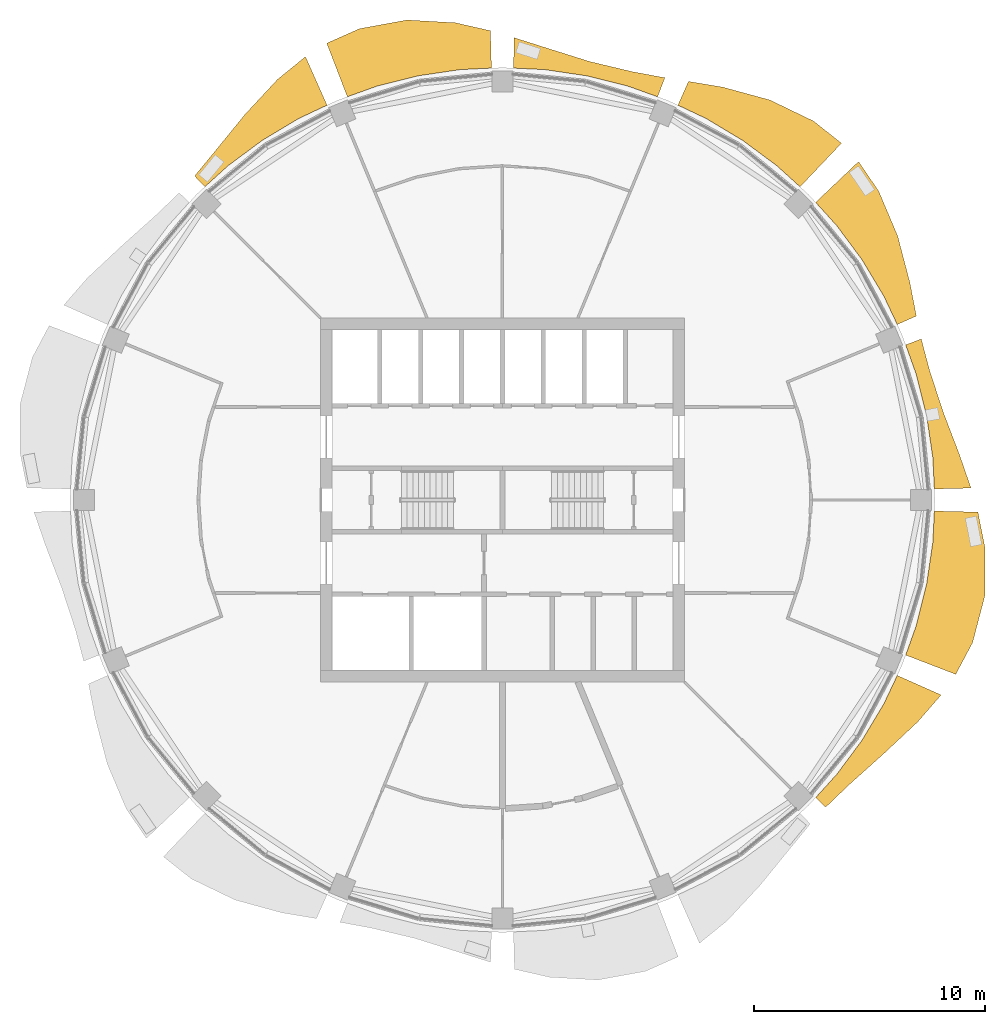
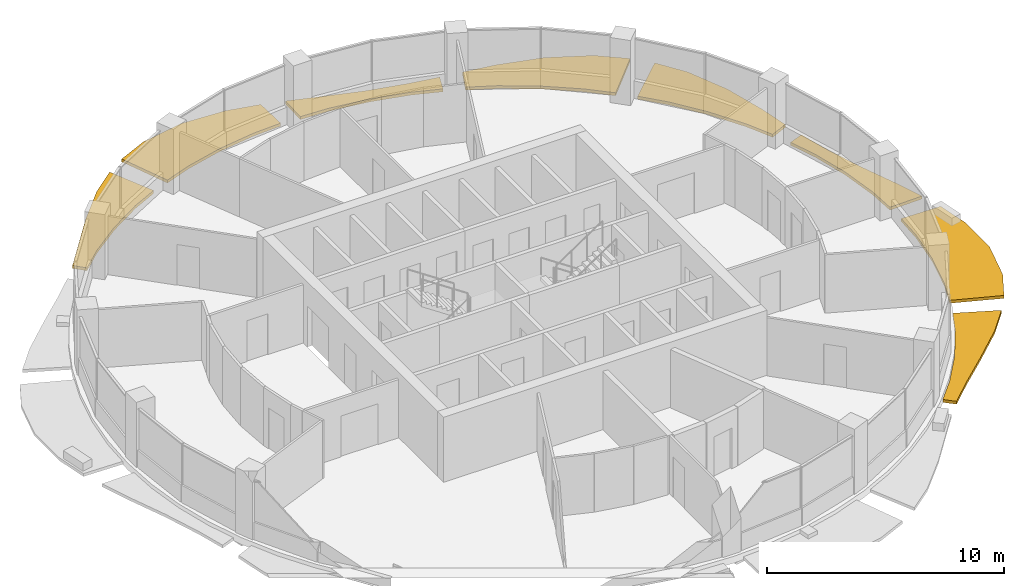
# One storey, part 14 of 15: 8 shading devices.
"""IFC4 building model written with IfcOpenShell, lengths in metres."""

import ifcopenshell
import ifcopenshell.guid

model = None  # the IFC model being written
_history = None  # IfcOwnerHistory: only IFC2X3 demands one
_inside = {}  # id of a spatial element -> (the spatial element, [elements in it])
_under = {}  # id of a project, library or spatial element -> (it, [spatial elements below it])
_declared = {}  # id of a project -> (the project, [libraries it declares])
_typed = {}  # id of a type object -> (the type object, [elements of that type])
_made_of = {}  # id of a material, layer set ... -> (it, [elements and type objects made of it])


def new_model(schema):
    """Start an empty IFC model of exactly this schema.

    Asked for "IFC4X3", IfcOpenShell would pick the latest addendum, in which some entities
    have other attributes; the version numbers below select the first issue.
    IFC2X3 requires an IfcOwnerHistory on every rooted entity: one is made here for all.
    """
    global model, _history
    if schema == "IFC4X3":
        model = ifcopenshell.file(schema_version=(4, 3, 0, 0))
    else:
        model = ifcopenshell.file(schema=schema)
    _inside.clear()
    _under.clear()
    _declared.clear()
    _typed.clear()
    _made_of.clear()
    _history = None
    if model.schema == "IFC2X3":
        org = make("IfcOrganization", Name="unknown")
        user = make(
            "IfcPersonAndOrganization",
            ThePerson=make("IfcPerson", FamilyName="unknown"),
            TheOrganization=org,
        )
        app = make(
            "IfcApplication",
            ApplicationDeveloper=org,
            Version="unknown",
            ApplicationFullName="unknown",
            ApplicationIdentifier="unknown",
        )
        _history = make(
            "IfcOwnerHistory",
            OwningUser=user,
            OwningApplication=app,
            ChangeAction="ADDED",
            CreationDate=0,
        )
    return model


def make(cls, **values):
    """One entity of the class cls with the attributes given. An attribute that is None is left unset."""
    return model.create_entity(
        cls, **{name: value for name, value in values.items() if value is not None}
    )


def rooted(cls, **values):
    """An entity with a GlobalId (a new one), such as an element, a storey or a relation."""
    return make(cls, GlobalId=ifcopenshell.guid.new(), OwnerHistory=_history, **values)


def si_unit(unit_type, name, prefix=None):
    """IfcSIUnit, for example si_unit("LENGTHUNIT", "METRE", prefix="MILLI")."""
    return make("IfcSIUnit", UnitType=unit_type, Prefix=prefix, Name=name)


def assignment(units):
    """IfcUnitAssignment: the units of a project."""
    return None if units is None else make("IfcUnitAssignment", Units=units)


def point(xyz):
    """IfcCartesianPoint."""
    return None if xyz is None else make("IfcCartesianPoint", Coordinates=xyz)


def direction(xyz):
    """IfcDirection."""
    return None if xyz is None else make("IfcDirection", DirectionRatios=xyz)


def frame(location, z_axis=None, x_axis=None):
    """IfcAxis2Placement3D, a coordinate frame: its origin and axes. An axis left out is left unset."""
    return make(
        "IfcAxis2Placement3D",
        Location=point(location),
        Axis=direction(z_axis),
        RefDirection=direction(x_axis),
    )


def origin():
    """The frame at (0, 0, 0) with its axes left unset."""
    return frame((0.0, 0.0, 0.0))


def place(relative_to, where):
    """IfcLocalPlacement: puts the frame where relative to a parent placement (None: the world)."""
    return make(
        "IfcLocalPlacement", PlacementRelTo=relative_to, RelativePlacement=where
    )


def context(
    kind, dimensions, precision=None, world=None, true_north=None, identifier=None
):
    """IfcGeometricRepresentationContext, for example the 3D "Model" context."""
    return make(
        "IfcGeometricRepresentationContext",
        ContextIdentifier=identifier,
        ContextType=kind,
        CoordinateSpaceDimension=dimensions,
        Precision=precision,
        WorldCoordinateSystem=world,
        TrueNorth=true_north,
    )


def subcontext(parent, identifier, kind, view, scale=None):
    """IfcGeometricRepresentationSubContext, for example "Body" below "Model"."""
    return make(
        "IfcGeometricRepresentationSubContext",
        ContextIdentifier=identifier,
        ContextType=kind,
        ParentContext=parent,
        TargetScale=scale,
        TargetView=view,
    )


def project(units=None, contexts=None):
    """IfcProject with its units and contexts."""
    return rooted(
        "IfcProject",
        Name="project",
        RepresentationContexts=contexts,
        UnitsInContext=assignment(units),
    )


def spatial(cls, under=None, at=None, **own):
    """A site, building, storey or space (cls), placed at a placement, below another one or the project."""
    s = rooted(cls, ObjectPlacement=at, **own)
    if under is not None:
        _under.setdefault(under.id(), (under, []))[1].append(s)
    return s


def polyline(points):
    """IfcPolyline through the points."""
    return make("IfcPolyline", Points=[point(p) for p in points])


def outline(outer, holes=None, kind="AREA"):
    """IfcArbitraryClosedProfileDef: a profile drawn as a closed curve; with holes, ...WithVoids."""
    if holes is None:
        return make("IfcArbitraryClosedProfileDef", ProfileType=kind, OuterCurve=outer)
    return make(
        "IfcArbitraryProfileDefWithVoids",
        ProfileType=kind,
        OuterCurve=outer,
        InnerCurves=holes,
    )


def extrude(swept, where, along, depth):
    """IfcExtrudedAreaSolid: the profile swept, set in the frame where, extruded along a direction by depth."""
    return make(
        "IfcExtrudedAreaSolid",
        SweptArea=swept,
        Position=where,
        ExtrudedDirection=direction(along),
        Depth=depth,
    )


def shape(context_of_items, identifier, shape_type, items):
    """IfcShapeRepresentation: the items that make up one representation, for example the "Body"."""
    return make(
        "IfcShapeRepresentation",
        ContextOfItems=context_of_items,
        RepresentationIdentifier=identifier,
        RepresentationType=shape_type,
        Items=items,
    )


def material(Name=None, Category=None):
    """IfcMaterial."""
    return make("IfcMaterial", Name=Name, Category=Category)


def made_of(thing, what):
    """Note that an element or type object is made of a material, layer set ...; save() writes the relation."""
    if what is not None:
        _made_of.setdefault(what.id(), (what, []))[1].append(thing)
    return thing


def type_object(cls, material=None, **own):
    """A type object (cls), such as IfcWallType, which elements share."""
    return made_of(rooted(cls, **own), material)


def element(
    cls,
    number,
    at=None,
    inside=None,
    cuts=None,
    type_object=None,
    material=None,
    context=None,
    identifier="Body",
    shape_type=None,
    held_by="IfcProductDefinitionShape",
    body=None,
    shapes=None,
    **own,
):
    """One element of the class cls, such as IfcWall. Its Tag is "e" and its number.

    at: its placement. inside: the storey or other place that contains it. cuts: it is an
    opening in that element (IfcRelVoidsElement). A single representation is given by context,
    identifier, shape_type and body (its items); several are given by shapes. held_by: the class
    of the entity that holds the representations. save() writes the other relations.
    """
    e = rooted(cls, Tag="e%d" % number, ObjectPlacement=at, **own)
    if body is not None:
        shapes = [shape(context, identifier, shape_type, body)]
    if shapes is not None:
        e.Representation = make(held_by, Representations=shapes)
    if inside is not None:
        _inside.setdefault(inside.id(), (inside, []))[1].append(e)
    if cuts is not None:
        rooted(
            "IfcRelVoidsElement", RelatingBuildingElement=cuts, RelatedOpeningElement=e
        )
    if type_object is not None:
        _typed.setdefault(type_object.id(), (type_object, []))[1].append(e)
    return made_of(e, material)


def aggregate(whole, parts):
    """IfcRelAggregates: a whole, such as a stair, and the parts it consists of."""
    return rooted("IfcRelAggregates", RelatingObject=whole, RelatedObjects=parts)


def save(model, path):
    """Write the relations noted so far, then the file.

    IfcRelAggregates (storeys below a building ...), IfcRelContainedInSpatialStructure (elements
    in a storey), IfcRelDefinesByType, IfcRelAssociatesMaterial and IfcRelDeclares: one each for
    every whole, place, type object, material and project.
    """
    for whole, parts in _under.values():
        aggregate(whole, parts)
    for where, things in _inside.values():
        rooted(
            "IfcRelContainedInSpatialStructure",
            RelatedElements=things,
            RelatingStructure=where,
        )
    for kind, things in _typed.values():
        rooted("IfcRelDefinesByType", RelatedObjects=things, RelatingType=kind)
    for what, things in _made_of.values():
        rooted("IfcRelAssociatesMaterial", RelatedObjects=things, RelatingMaterial=what)
    for by, libraries in _declared.values():
        rooted("IfcRelDeclares", RelatingContext=by, RelatedDefinitions=libraries)
    model.write(path)


model = new_model("IFC4")

# Units and contexts
model_context = context("Model", 3, precision=1e-05, world=origin(), true_north=direction((0.0, 1.0)))
body_context = subcontext(model_context, "Body", "Model", "MODEL_VIEW")
ifc_project = project(units=[si_unit("LENGTHUNIT", "METRE"), si_unit("AREAUNIT", "SQUARE_METRE"), si_unit("VOLUMEUNIT", "CUBIC_METRE"), si_unit("PLANEANGLEUNIT", "RADIAN"), si_unit("MASSUNIT", "GRAM", prefix="KILO")], contexts=[model_context])

# Site, building, storey
site_placement = place(None, origin())
site = spatial("IfcSite", under=ifc_project, at=site_placement, CompositionType="ELEMENT")
building_placement = place(site_placement, origin())
building = spatial("IfcBuilding", under=site, at=building_placement, Name="Polderwave Tower", CompositionType="ELEMENT")
storey_placement = place(building_placement, frame((0.0, 0.0, 174.25)))
storey = spatial("IfcBuildingStorey", under=building, at=storey_placement, Name="L46", CompositionType="ELEMENT", Elevation=174.25)

# Shading devices
ifc_material = material(Name="Terracotta", Category="masonry")
shading_device_type = type_object("IfcShadingDeviceType", Name="Terracotta sunshade band", PredefinedType="USERDEFINED", material=ifc_material)
shading_device_1_placement = place(storey_placement, frame((0.0, 0.0, -0.35009765625)))
element("IfcShadingDevice", 1, at=shading_device_1_placement, inside=storey, type_object=shading_device_type, Name="Sunshade band L46 1", ObjectType="SUNSHADE", PredefinedType="USERDEFINED", context=body_context, shape_type="SweptSolid", body=[
    extrude(outline(polyline([(18.676513671875, 0.476318359375), (18.610107421875, 1.8330078125), (18.3408203125, 3.648193359375), (17.894775390625, 5.42822265625), (17.437255859375, 6.707275390625), (18.109619140625, 6.9658203125), (18.470703125, 5.60302734375), (19.0634765625, 3.7919921875), (19.767333984375, 1.947021484375), (20.260009765625, 0.5166015625), (18.676513671875, 0.476318359375)])), origin(), (0.0, 0.0, 1.0), 0.150146484375),
])
shading_device_2_placement = place(storey_placement, frame((0.0, 0.0, -0.35009765625)))
element("IfcShadingDevice", 2, at=shading_device_2_placement, inside=storey, type_object=shading_device_type, Name="Sunshade band L46 2", ObjectType="SUNSHADE", PredefinedType="USERDEFINED", context=body_context, shape_type="SweptSolid", body=[
    extrude(outline(polyline([(17.07275390625, 7.587158203125), (16.491943359375, 8.815185546875), (15.548583984375, 10.38916015625), (14.455322265625, 11.86328125), (13.543212890625, 12.86962890625), (15.397705078125, 14.632080078125), (16.270263671875, 13.352783203125), (17.08935546875, 11.418701171875), (17.61474609375, 9.415283203125), (17.899169921875, 7.95458984375), (17.07275390625, 7.587158203125)])), origin(), (0.0, 0.0, 1.0), 0.150146484375),
])
shading_device_3_placement = place(storey_placement, frame((0.0, 0.0, -0.35009765625)))
element("IfcShadingDevice", 3, at=shading_device_3_placement, inside=storey, type_object=shading_device_type, Name="Sunshade band L46 3", ObjectType="SUNSHADE", PredefinedType="USERDEFINED", context=body_context, shape_type="SweptSolid", body=[
    extrude(outline(polyline([(12.86962890625, 13.543212890625), (11.86328125, 14.455322265625), (10.38916015625, 15.548583984375), (8.815185546875, 16.491943359375), (7.587158203125, 17.07275390625), (8.043701171875, 18.10009765625), (9.541259765625, 17.850341796875), (11.55859375, 17.298828125), (13.44873046875, 16.387451171875), (14.66064453125, 15.427734375), (12.86962890625, 13.543212890625)])), origin(), (0.0, 0.0, 1.0), 0.150146484375),
])
shading_device_4_placement = place(storey_placement, frame((0.0, 0.0, -0.35009765625)))
element("IfcShadingDevice", 4, at=shading_device_4_placement, inside=storey, type_object=shading_device_type, Name="Sunshade band L46 4", ObjectType="SUNSHADE", PredefinedType="USERDEFINED", context=body_context, shape_type="SweptSolid", body=[
    extrude(outline(polyline([(6.707275390625, 17.437255859375), (5.42822265625, 17.894775390625), (3.648193359375, 18.3408203125), (1.8330078125, 18.610107421875), (0.476318359375, 18.676513671875), (0.509765625, 19.990478515625), (1.9248046875, 19.541748046875), (3.771484375, 18.961181640625), (5.618408203125, 18.521484375), (7.023681640625, 18.260009765625), (6.707275390625, 17.437255859375)])), origin(), (0.0, 0.0, 1.0), 0.150146484375),
])
shading_device_5_placement = place(storey_placement, frame((0.0, 0.0, -0.35009765625)))
element("IfcShadingDevice", 5, at=shading_device_5_placement, inside=storey, type_object=shading_device_type, Name="Sunshade band L46 5", ObjectType="SUNSHADE", PredefinedType="USERDEFINED", context=body_context, shape_type="SweptSolid", body=[
    extrude(outline(polyline([(-0.476318359375, 18.676513671875), (-1.8330078125, 18.610107421875), (-3.648193359375, 18.3408203125), (-5.42822265625, 17.894775390625), (-6.707275390625, 17.437255859375), (-7.597412109375, 19.75146484375), (-6.1826171875, 20.381103515625), (-4.128662109375, 20.756591796875), (-2.03271484375, 20.63720703125), (-0.517333984375, 20.292236328125), (-0.476318359375, 18.676513671875)])), origin(), (0.0, 0.0, 1.0), 0.150146484375),
])
shading_device_6_placement = place(storey_placement, frame((0.0, 0.0, -0.35009765625)))
element("IfcShadingDevice", 6, at=shading_device_6_placement, inside=storey, type_object=shading_device_type, Name="Sunshade band L46 6", ObjectType="SUNSHADE", PredefinedType="USERDEFINED", context=body_context, shape_type="SweptSolid", body=[
    extrude(outline(polyline([(-7.587158203125, 17.07275390625), (-8.815185546875, 16.491943359375), (-10.38916015625, 15.548583984375), (-11.86328125, 14.455322265625), (-12.86962890625, 13.543212890625), (-13.311767578125, 14.00830078125), (-12.40380859375, 15.114013671875), (-11.137451171875, 16.668212890625), (-9.723388671875, 18.19140625), (-8.519287109375, 19.17041015625), (-7.587158203125, 17.07275390625)])), origin(), (0.0, 0.0, 1.0), 0.150146484375),
])
shading_device_7_placement = place(storey_placement, frame((0.0, 0.0, -0.35009765625)))
element("IfcShadingDevice", 7, at=shading_device_7_placement, inside=storey, type_object=shading_device_type, Name="Sunshade band L46 15", ObjectType="SUNSHADE", PredefinedType="USERDEFINED", context=body_context, shape_type="SweptSolid", body=[
    extrude(outline(polyline([(13.543212890625, -12.86962890625), (14.455322265625, -11.86328125), (15.548583984375, -10.38916015625), (16.491943359375, -8.815185546875), (17.07275390625, -7.587158203125), (18.969482421875, -8.43017578125), (17.95556640625, -9.597412109375), (16.458984375, -10.99755859375), (14.996826171875, -12.3076171875), (13.97802734375, -13.283203125), (13.543212890625, -12.86962890625)])), origin(), (0.0, 0.0, 1.0), 0.150146484375),
])
shading_device_8_placement = place(storey_placement, frame((0.0, 0.0, -0.35009765625)))
element("IfcShadingDevice", 8, at=shading_device_8_placement, inside=storey, type_object=shading_device_type, Name="Sunshade band L46 16", ObjectType="SUNSHADE", PredefinedType="USERDEFINED", context=body_context, shape_type="SweptSolid", body=[
    extrude(outline(polyline([(17.437255859375, -6.707275390625), (17.894775390625, -5.42822265625), (18.3408203125, -3.648193359375), (18.610107421875, -1.8330078125), (18.676513671875, -0.476318359375), (20.5615234375, -0.524169921875), (20.86279296875, -2.0546875), (20.85888671875, -4.149169921875), (20.330078125, -6.1669921875), (19.60107421875, -7.539794921875), (17.437255859375, -6.707275390625)])), origin(), (0.0, 0.0, 1.0), 0.150146484375),
])

save(model, "model.ifc")
